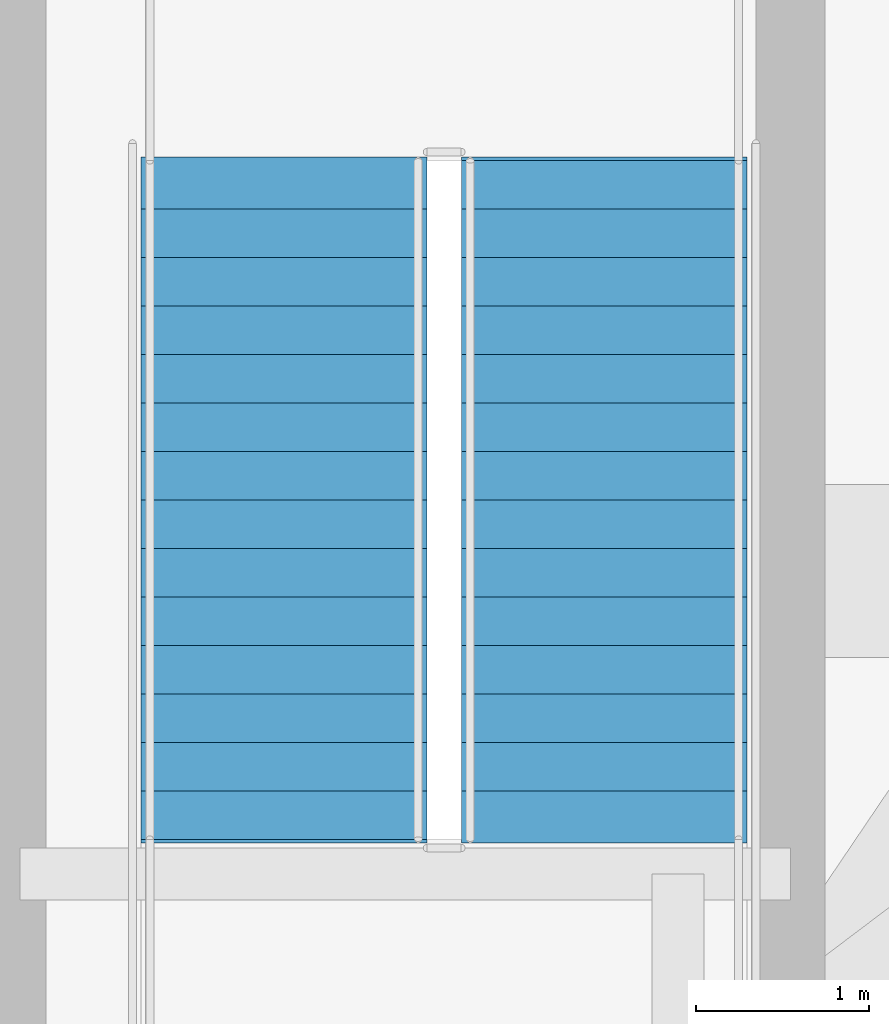
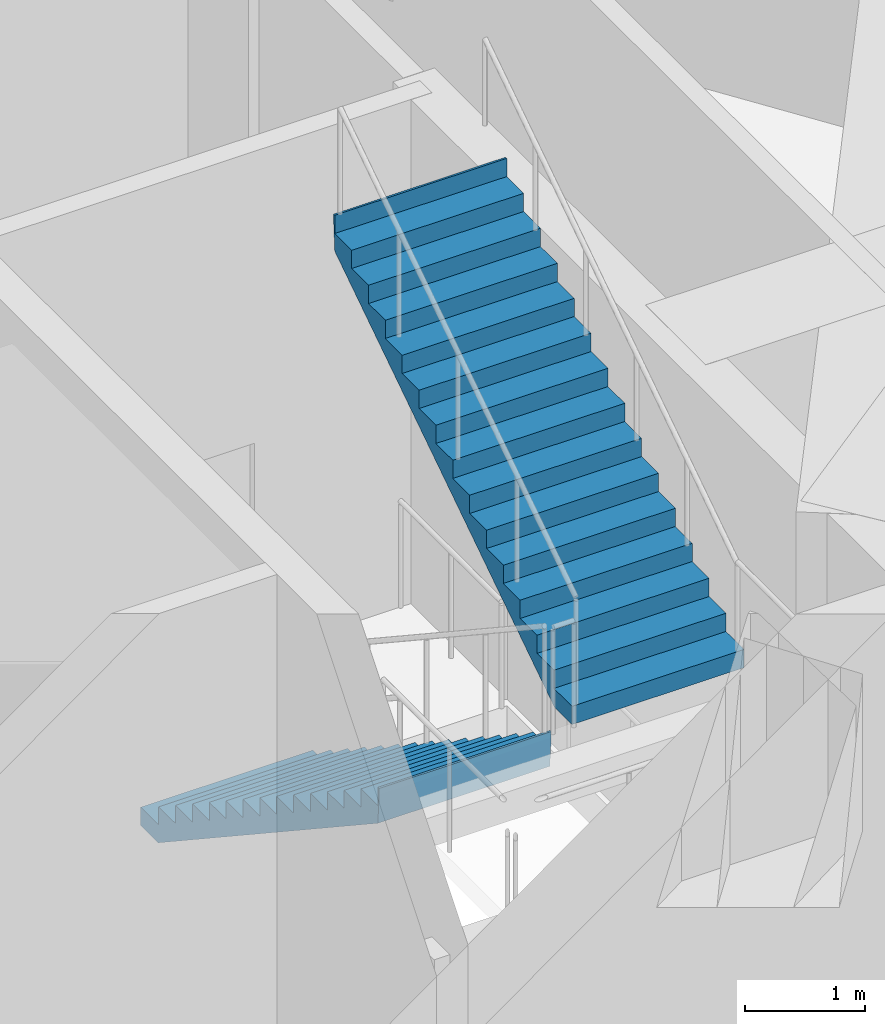
# One storey, part 35 of 38: 2 stair flights, 1 element without a shape of its own.
"""IFC4 building model written with IfcOpenShell, lengths in metres."""

from ifc_helpers import new_model, si_unit, direction, frame, origin, place, context, subcontext, project, spatial, polygons, material, type_object, element, aggregate, save


model = new_model("IFC4")

# Units and contexts
model_context = context("Model", 3, precision=1e-05, world=origin(), true_north=direction((0.0, 1.0)))
body_context = subcontext(model_context, "Body", "Model", "MODEL_VIEW")
ifc_project = project(units=[si_unit("LENGTHUNIT", "METRE"), si_unit("AREAUNIT", "SQUARE_METRE"), si_unit("VOLUMEUNIT", "CUBIC_METRE"), si_unit("PLANEANGLEUNIT", "RADIAN"), si_unit("MASSUNIT", "GRAM", prefix="KILO")], contexts=[model_context])

# Site, building, storey
site_placement = place(None, origin())
site = spatial("IfcSite", under=ifc_project, at=site_placement, CompositionType="ELEMENT")
building_placement = place(site_placement, origin())
building = spatial("IfcBuilding", under=site, at=building_placement, Name="Serunith Strait Residences", CompositionType="ELEMENT")
storey_placement = place(building_placement, frame((0.0, 0.0, 204.89990234375)))
storey = spatial("IfcBuildingStorey", under=building, at=storey_placement, Name="L51", CompositionType="ELEMENT", Elevation=204.89990234375)

# Stair, stair flights
ifc_material = material(Name="Concrete C50/60", Category="concrete")
stair_type = type_object("IfcStairType", Name="STR-CORE-2", PredefinedType="HALF_TURN_STAIR", material=ifc_material)
stair_placement = place(storey_placement, origin())
stair = element("IfcStair", 1, at=stair_placement, inside=storey, type_object=stair_type, Name="L51 Protected Escape Stair ST-2", PredefinedType="HALF_TURN_STAIR")
stair_flight_type = type_object("IfcStairFlightType", Name="FLT-CORE-2", PredefinedType="STRAIGHT", material=ifc_material)
stair_flight_1_placement = place(storey_placement, frame((38.47509765625, 23.3701171875, 0.0), z_axis=(0.0, 0.0, 1.0), x_axis=(0.0, -1.0, 0.0)))
stair_flight_1 = element("IfcStairFlight", 2, at=stair_flight_1_placement, type_object=stair_flight_type, Name="ST-2 flight 1", NumberOfRisers=15, NumberOfTreads=14, PredefinedType="STRAIGHT", RiserHeight=0.185, TreadLength=0.28, context=body_context, shape_type="Tessellation", body=[
    polygons([(-0.02001953125, -0.824951171875, 0.0), (-0.02001953125, -0.824951171875, 0.18505859375), (0.280029296875, -0.824951171875, 0.18505859375), (0.280029296875, -0.824951171875, 0.3701171875), (0.56005859375, -0.824951171875, 0.3701171875), (0.56005859375, -0.824951171875, 0.554931640625), (0.840087890625, -0.824951171875, 0.554931640625), (0.840087890625, -0.824951171875, 0.739990234375), (1.1201171875, -0.824951171875, 0.739990234375), (1.1201171875, -0.824951171875, 0.925048828125), (1.39990234375, -0.824951171875, 0.925048828125), (1.39990234375, -0.824951171875, 1.110107421875), (1.679931640625, -0.824951171875, 1.110107421875), (1.679931640625, -0.824951171875, 1.294921875), (1.9599609375, -0.824951171875, 1.294921875), (1.9599609375, -0.824951171875, 1.47998046875), (2.239990234375, -0.824951171875, 1.47998046875), (2.239990234375, -0.824951171875, 1.6650390625), (2.52001953125, -0.824951171875, 1.6650390625), (2.52001953125, -0.824951171875, 1.85009765625), (2.800048828125, -0.824951171875, 1.85009765625), (2.800048828125, -0.824951171875, 2.034912109375), (3.080078125, -0.824951171875, 2.034912109375), (3.080078125, -0.824951171875, 2.219970703125), (3.360107421875, -0.824951171875, 2.219970703125), (3.360107421875, -0.824951171875, 2.405029296875), (3.639892578125, -0.824951171875, 2.405029296875), (3.639892578125, -0.824951171875, 2.590087890625), (3.919921875, -0.824951171875, 2.590087890625), (3.919921875, -0.824951171875, 2.77490234375), (3.93994140625, -0.824951171875, 2.77490234375), (3.93994140625, -0.824951171875, 2.715087890625), (3.919921875, -0.824951171875, 2.410400390625), (0.27197265625, -0.824951171875, 0.0), (-0.02001953125, -0.41259765625, 0.0), (-0.02001953125, -0.41259765625, 0.18505859375), (0.280029296875, -0.41259765625, 0.18505859375), (0.280029296875, -0.41259765625, 0.3701171875), (0.56005859375, -0.41259765625, 0.3701171875), (0.56005859375, -0.41259765625, 0.554931640625), (0.840087890625, -0.41259765625, 0.554931640625), (0.840087890625, -0.41259765625, 0.739990234375), (1.1201171875, -0.41259765625, 0.739990234375), (1.1201171875, -0.41259765625, 0.925048828125), (1.39990234375, -0.41259765625, 0.925048828125), (1.39990234375, -0.41259765625, 1.110107421875), (1.679931640625, -0.41259765625, 1.110107421875), (1.679931640625, -0.41259765625, 1.294921875), (1.9599609375, -0.41259765625, 1.294921875), (1.9599609375, -0.41259765625, 1.47998046875), (2.239990234375, -0.41259765625, 1.47998046875), (2.239990234375, -0.41259765625, 1.6650390625), (2.52001953125, -0.41259765625, 1.6650390625), (2.52001953125, -0.41259765625, 1.85009765625), (2.800048828125, -0.41259765625, 1.85009765625), (2.800048828125, -0.41259765625, 2.034912109375), (3.080078125, -0.41259765625, 2.034912109375), (3.080078125, -0.41259765625, 2.219970703125), (3.360107421875, -0.41259765625, 2.219970703125), (3.360107421875, -0.41259765625, 2.405029296875), (3.639892578125, -0.41259765625, 2.405029296875), (3.639892578125, -0.41259765625, 2.590087890625), (3.919921875, -0.41259765625, 2.590087890625), (3.919921875, -0.41259765625, 2.77490234375), (3.93994140625, -0.41259765625, 2.77490234375), (3.93994140625, -0.41259765625, 2.715087890625), (3.919921875, -0.41259765625, 2.410400390625), (0.27197265625, -0.41259765625, 0.0), (-0.02001953125, 0.0, 0.0), (-0.02001953125, 0.0, 0.18505859375), (0.280029296875, 0.0, 0.18505859375), (0.280029296875, 0.0, 0.3701171875), (0.56005859375, 0.0, 0.3701171875), (0.56005859375, 0.0, 0.554931640625), (0.840087890625, 0.0, 0.554931640625), (0.840087890625, 0.0, 0.739990234375), (1.1201171875, 0.0, 0.739990234375), (1.1201171875, 0.0, 0.925048828125), (1.39990234375, 0.0, 0.925048828125), (1.39990234375, 0.0, 1.110107421875), (1.679931640625, 0.0, 1.110107421875), (1.679931640625, 0.0, 1.294921875), (1.9599609375, 0.0, 1.294921875), (1.9599609375, 0.0, 1.47998046875), (2.239990234375, 0.0, 1.47998046875), (2.239990234375, 0.0, 1.6650390625), (2.52001953125, 0.0, 1.6650390625), (2.52001953125, 0.0, 1.85009765625), (2.800048828125, 0.0, 1.85009765625), (2.800048828125, 0.0, 2.034912109375), (3.080078125, 0.0, 2.034912109375), (3.080078125, 0.0, 2.219970703125), (3.360107421875, 0.0, 2.219970703125), (3.360107421875, 0.0, 2.405029296875), (3.639892578125, 0.0, 2.405029296875), (3.639892578125, 0.0, 2.590087890625), (3.919921875, 0.0, 2.590087890625), (3.919921875, 0.0, 2.77490234375), (3.93994140625, 0.0, 2.77490234375), (3.93994140625, 0.0, 2.715087890625), (3.919921875, 0.0, 2.410400390625), (0.27197265625, 0.0, 0.0), (-0.02001953125, 0.41259765625, 0.0), (-0.02001953125, 0.41259765625, 0.18505859375), (0.280029296875, 0.41259765625, 0.18505859375), (0.280029296875, 0.41259765625, 0.3701171875), (0.56005859375, 0.41259765625, 0.3701171875), (0.56005859375, 0.41259765625, 0.554931640625), (0.840087890625, 0.41259765625, 0.554931640625), (0.840087890625, 0.41259765625, 0.739990234375), (1.1201171875, 0.41259765625, 0.739990234375), (1.1201171875, 0.41259765625, 0.925048828125), (1.39990234375, 0.41259765625, 0.925048828125), (1.39990234375, 0.41259765625, 1.110107421875), (1.679931640625, 0.41259765625, 1.110107421875), (1.679931640625, 0.41259765625, 1.294921875), (1.9599609375, 0.41259765625, 1.294921875), (1.9599609375, 0.41259765625, 1.47998046875), (2.239990234375, 0.41259765625, 1.47998046875), (2.239990234375, 0.41259765625, 1.6650390625), (2.52001953125, 0.41259765625, 1.6650390625), (2.52001953125, 0.41259765625, 1.85009765625), (2.800048828125, 0.41259765625, 1.85009765625), (2.800048828125, 0.41259765625, 2.034912109375), (3.080078125, 0.41259765625, 2.034912109375), (3.080078125, 0.41259765625, 2.219970703125), (3.360107421875, 0.41259765625, 2.219970703125), (3.360107421875, 0.41259765625, 2.405029296875), (3.639892578125, 0.41259765625, 2.405029296875), (3.639892578125, 0.41259765625, 2.590087890625), (3.919921875, 0.41259765625, 2.590087890625), (3.919921875, 0.41259765625, 2.77490234375), (3.93994140625, 0.41259765625, 2.77490234375), (3.93994140625, 0.41259765625, 2.715087890625), (3.919921875, 0.41259765625, 2.410400390625), (0.27197265625, 0.41259765625, 0.0), (-0.02001953125, 0.824951171875, 0.0), (-0.02001953125, 0.824951171875, 0.18505859375), (0.280029296875, 0.824951171875, 0.18505859375), (0.280029296875, 0.824951171875, 0.3701171875), (0.56005859375, 0.824951171875, 0.3701171875), (0.56005859375, 0.824951171875, 0.554931640625), (0.840087890625, 0.824951171875, 0.554931640625), (0.840087890625, 0.824951171875, 0.739990234375), (1.1201171875, 0.824951171875, 0.739990234375), (1.1201171875, 0.824951171875, 0.925048828125), (1.39990234375, 0.824951171875, 0.925048828125), (1.39990234375, 0.824951171875, 1.110107421875), (1.679931640625, 0.824951171875, 1.110107421875), (1.679931640625, 0.824951171875, 1.294921875), (1.9599609375, 0.824951171875, 1.294921875), (1.9599609375, 0.824951171875, 1.47998046875), (2.239990234375, 0.824951171875, 1.47998046875), (2.239990234375, 0.824951171875, 1.6650390625), (2.52001953125, 0.824951171875, 1.6650390625), (2.52001953125, 0.824951171875, 1.85009765625), (2.800048828125, 0.824951171875, 1.85009765625), (2.800048828125, 0.824951171875, 2.034912109375), (3.080078125, 0.824951171875, 2.034912109375), (3.080078125, 0.824951171875, 2.219970703125), (3.360107421875, 0.824951171875, 2.219970703125), (3.360107421875, 0.824951171875, 2.405029296875), (3.639892578125, 0.824951171875, 2.405029296875), (3.639892578125, 0.824951171875, 2.590087890625), (3.919921875, 0.824951171875, 2.590087890625), (3.919921875, 0.824951171875, 2.77490234375), (3.93994140625, 0.824951171875, 2.77490234375), (3.93994140625, 0.824951171875, 2.715087890625), (3.919921875, 0.824951171875, 2.410400390625), (0.27197265625, 0.824951171875, 0.0)], [[[1, 2, 36, 35]], [[2, 3, 37, 36]], [[3, 4, 38, 37]], [[4, 5, 39, 38]], [[5, 6, 40, 39]], [[6, 7, 41, 40]], [[7, 8, 42, 41]], [[8, 9, 43, 42]], [[9, 10, 44, 43]], [[10, 11, 45, 44]], [[11, 12, 46, 45]], [[12, 13, 47, 46]], [[13, 14, 48, 47]], [[14, 15, 49, 48]], [[15, 16, 50, 49]], [[16, 17, 51, 50]], [[17, 18, 52, 51]], [[18, 19, 53, 52]], [[19, 20, 54, 53]], [[20, 21, 55, 54]], [[21, 22, 56, 55]], [[22, 23, 57, 56]], [[23, 24, 58, 57]], [[24, 25, 59, 58]], [[25, 26, 60, 59]], [[26, 27, 61, 60]], [[27, 28, 62, 61]], [[28, 29, 63, 62]], [[29, 30, 64, 63]], [[30, 31, 65, 64]], [[31, 32, 66, 65]], [[32, 33, 67, 66]], [[33, 34, 68, 67]], [[34, 1, 35, 68]], [[35, 36, 70, 69]], [[36, 37, 71, 70]], [[37, 38, 72, 71]], [[38, 39, 73, 72]], [[39, 40, 74, 73]], [[40, 41, 75, 74]], [[41, 42, 76, 75]], [[42, 43, 77, 76]], [[43, 44, 78, 77]], [[44, 45, 79, 78]], [[45, 46, 80, 79]], [[46, 47, 81, 80]], [[47, 48, 82, 81]], [[48, 49, 83, 82]], [[49, 50, 84, 83]], [[50, 51, 85, 84]], [[51, 52, 86, 85]], [[52, 53, 87, 86]], [[53, 54, 88, 87]], [[54, 55, 89, 88]], [[55, 56, 90, 89]], [[56, 57, 91, 90]], [[57, 58, 92, 91]], [[58, 59, 93, 92]], [[59, 60, 94, 93]], [[60, 61, 95, 94]], [[61, 62, 96, 95]], [[62, 63, 97, 96]], [[63, 64, 98, 97]], [[64, 65, 99, 98]], [[65, 66, 100, 99]], [[66, 67, 101, 100]], [[67, 68, 102, 101]], [[68, 35, 69, 102]], [[69, 70, 104, 103]], [[70, 71, 105, 104]], [[71, 72, 106, 105]], [[72, 73, 107, 106]], [[73, 74, 108, 107]], [[74, 75, 109, 108]], [[75, 76, 110, 109]], [[76, 77, 111, 110]], [[77, 78, 112, 111]], [[78, 79, 113, 112]], [[79, 80, 114, 113]], [[80, 81, 115, 114]], [[81, 82, 116, 115]], [[82, 83, 117, 116]], [[83, 84, 118, 117]], [[84, 85, 119, 118]], [[85, 86, 120, 119]], [[86, 87, 121, 120]], [[87, 88, 122, 121]], [[88, 89, 123, 122]], [[89, 90, 124, 123]], [[90, 91, 125, 124]], [[91, 92, 126, 125]], [[92, 93, 127, 126]], [[93, 94, 128, 127]], [[94, 95, 129, 128]], [[95, 96, 130, 129]], [[96, 97, 131, 130]], [[97, 98, 132, 131]], [[98, 99, 133, 132]], [[99, 100, 134, 133]], [[100, 101, 135, 134]], [[101, 102, 136, 135]], [[102, 69, 103, 136]], [[103, 104, 138, 137]], [[104, 105, 139, 138]], [[105, 106, 140, 139]], [[106, 107, 141, 140]], [[107, 108, 142, 141]], [[108, 109, 143, 142]], [[109, 110, 144, 143]], [[110, 111, 145, 144]], [[111, 112, 146, 145]], [[112, 113, 147, 146]], [[113, 114, 148, 147]], [[114, 115, 149, 148]], [[115, 116, 150, 149]], [[116, 117, 151, 150]], [[117, 118, 152, 151]], [[118, 119, 153, 152]], [[119, 120, 154, 153]], [[120, 121, 155, 154]], [[121, 122, 156, 155]], [[122, 123, 157, 156]], [[123, 124, 158, 157]], [[124, 125, 159, 158]], [[125, 126, 160, 159]], [[126, 127, 161, 160]], [[127, 128, 162, 161]], [[128, 129, 163, 162]], [[129, 130, 164, 163]], [[130, 131, 165, 164]], [[131, 132, 166, 165]], [[132, 133, 167, 166]], [[133, 134, 168, 167]], [[134, 135, 169, 168]], [[135, 136, 170, 169]], [[136, 103, 137, 170]], [[34, 33, 32, 31, 30, 29, 28, 27, 26, 25, 24, 23, 22, 21, 20, 19, 18, 17, 16, 15, 14, 13, 12, 11, 10, 9, 8, 7, 6, 5, 4, 3, 2, 1]], [[137, 138, 139, 140, 141, 142, 143, 144, 145, 146, 147, 148, 149, 150, 151, 152, 153, 154, 155, 156, 157, 158, 159, 160, 161, 162, 163, 164, 165, 166, 167, 168, 169, 170]]], closed=True),
])
stair_flight_2_placement = place(storey_placement, frame((40.324951171875, 19.449951171875, 2.775146484375), z_axis=(0.0, 0.0, 1.0), x_axis=(0.0, 1.0, 0.0)))
stair_flight_2 = element("IfcStairFlight", 3, at=stair_flight_2_placement, type_object=stair_flight_type, Name="ST-2 flight 2", NumberOfRisers=15, NumberOfTreads=14, PredefinedType="STRAIGHT", RiserHeight=0.185, TreadLength=0.28, context=body_context, shape_type="Tessellation", body=[
    polygons([(-0.02001953125, -0.824951171875, 0.0), (-0.02001953125, -0.824951171875, 0.18505859375), (0.280029296875, -0.824951171875, 0.18505859375), (0.280029296875, -0.824951171875, 0.3701171875), (0.56005859375, -0.824951171875, 0.3701171875), (0.56005859375, -0.824951171875, 0.554931640625), (0.840087890625, -0.824951171875, 0.554931640625), (0.840087890625, -0.824951171875, 0.739990234375), (1.1201171875, -0.824951171875, 0.739990234375), (1.1201171875, -0.824951171875, 0.925048828125), (1.39990234375, -0.824951171875, 0.925048828125), (1.39990234375, -0.824951171875, 1.110107421875), (1.679931640625, -0.824951171875, 1.110107421875), (1.679931640625, -0.824951171875, 1.294921875), (1.9599609375, -0.824951171875, 1.294921875), (1.9599609375, -0.824951171875, 1.47998046875), (2.239990234375, -0.824951171875, 1.47998046875), (2.239990234375, -0.824951171875, 1.6650390625), (2.52001953125, -0.824951171875, 1.6650390625), (2.52001953125, -0.824951171875, 1.85009765625), (2.800048828125, -0.824951171875, 1.85009765625), (2.800048828125, -0.824951171875, 2.034912109375), (3.080078125, -0.824951171875, 2.034912109375), (3.080078125, -0.824951171875, 2.219970703125), (3.360107421875, -0.824951171875, 2.219970703125), (3.360107421875, -0.824951171875, 2.405029296875), (3.639892578125, -0.824951171875, 2.405029296875), (3.639892578125, -0.824951171875, 2.590087890625), (3.919921875, -0.824951171875, 2.590087890625), (3.919921875, -0.824951171875, 2.77490234375), (3.93994140625, -0.824951171875, 2.77490234375), (3.93994140625, -0.824951171875, 2.715087890625), (3.919921875, -0.824951171875, 2.410400390625), (0.27197265625, -0.824951171875, 0.0), (-0.02001953125, -0.41259765625, 0.0), (-0.02001953125, -0.41259765625, 0.18505859375), (0.280029296875, -0.41259765625, 0.18505859375), (0.280029296875, -0.41259765625, 0.3701171875), (0.56005859375, -0.41259765625, 0.3701171875), (0.56005859375, -0.41259765625, 0.554931640625), (0.840087890625, -0.41259765625, 0.554931640625), (0.840087890625, -0.41259765625, 0.739990234375), (1.1201171875, -0.41259765625, 0.739990234375), (1.1201171875, -0.41259765625, 0.925048828125), (1.39990234375, -0.41259765625, 0.925048828125), (1.39990234375, -0.41259765625, 1.110107421875), (1.679931640625, -0.41259765625, 1.110107421875), (1.679931640625, -0.41259765625, 1.294921875), (1.9599609375, -0.41259765625, 1.294921875), (1.9599609375, -0.41259765625, 1.47998046875), (2.239990234375, -0.41259765625, 1.47998046875), (2.239990234375, -0.41259765625, 1.6650390625), (2.52001953125, -0.41259765625, 1.6650390625), (2.52001953125, -0.41259765625, 1.85009765625), (2.800048828125, -0.41259765625, 1.85009765625), (2.800048828125, -0.41259765625, 2.034912109375), (3.080078125, -0.41259765625, 2.034912109375), (3.080078125, -0.41259765625, 2.219970703125), (3.360107421875, -0.41259765625, 2.219970703125), (3.360107421875, -0.41259765625, 2.405029296875), (3.639892578125, -0.41259765625, 2.405029296875), (3.639892578125, -0.41259765625, 2.590087890625), (3.919921875, -0.41259765625, 2.590087890625), (3.919921875, -0.41259765625, 2.77490234375), (3.93994140625, -0.41259765625, 2.77490234375), (3.93994140625, -0.41259765625, 2.715087890625), (3.919921875, -0.41259765625, 2.410400390625), (0.27197265625, -0.41259765625, 0.0), (-0.02001953125, 0.0, 0.0), (-0.02001953125, 0.0, 0.18505859375), (0.280029296875, 0.0, 0.18505859375), (0.280029296875, 0.0, 0.3701171875), (0.56005859375, 0.0, 0.3701171875), (0.56005859375, 0.0, 0.554931640625), (0.840087890625, 0.0, 0.554931640625), (0.840087890625, 0.0, 0.739990234375), (1.1201171875, 0.0, 0.739990234375), (1.1201171875, 0.0, 0.925048828125), (1.39990234375, 0.0, 0.925048828125), (1.39990234375, 0.0, 1.110107421875), (1.679931640625, 0.0, 1.110107421875), (1.679931640625, 0.0, 1.294921875), (1.9599609375, 0.0, 1.294921875), (1.9599609375, 0.0, 1.47998046875), (2.239990234375, 0.0, 1.47998046875), (2.239990234375, 0.0, 1.6650390625), (2.52001953125, 0.0, 1.6650390625), (2.52001953125, 0.0, 1.85009765625), (2.800048828125, 0.0, 1.85009765625), (2.800048828125, 0.0, 2.034912109375), (3.080078125, 0.0, 2.034912109375), (3.080078125, 0.0, 2.219970703125), (3.360107421875, 0.0, 2.219970703125), (3.360107421875, 0.0, 2.405029296875), (3.639892578125, 0.0, 2.405029296875), (3.639892578125, 0.0, 2.590087890625), (3.919921875, 0.0, 2.590087890625), (3.919921875, 0.0, 2.77490234375), (3.93994140625, 0.0, 2.77490234375), (3.93994140625, 0.0, 2.715087890625), (3.919921875, 0.0, 2.410400390625), (0.27197265625, 0.0, 0.0), (-0.02001953125, 0.41259765625, 0.0), (-0.02001953125, 0.41259765625, 0.18505859375), (0.280029296875, 0.41259765625, 0.18505859375), (0.280029296875, 0.41259765625, 0.3701171875), (0.56005859375, 0.41259765625, 0.3701171875), (0.56005859375, 0.41259765625, 0.554931640625), (0.840087890625, 0.41259765625, 0.554931640625), (0.840087890625, 0.41259765625, 0.739990234375), (1.1201171875, 0.41259765625, 0.739990234375), (1.1201171875, 0.41259765625, 0.925048828125), (1.39990234375, 0.41259765625, 0.925048828125), (1.39990234375, 0.41259765625, 1.110107421875), (1.679931640625, 0.41259765625, 1.110107421875), (1.679931640625, 0.41259765625, 1.294921875), (1.9599609375, 0.41259765625, 1.294921875), (1.9599609375, 0.41259765625, 1.47998046875), (2.239990234375, 0.41259765625, 1.47998046875), (2.239990234375, 0.41259765625, 1.6650390625), (2.52001953125, 0.41259765625, 1.6650390625), (2.52001953125, 0.41259765625, 1.85009765625), (2.800048828125, 0.41259765625, 1.85009765625), (2.800048828125, 0.41259765625, 2.034912109375), (3.080078125, 0.41259765625, 2.034912109375), (3.080078125, 0.41259765625, 2.219970703125), (3.360107421875, 0.41259765625, 2.219970703125), (3.360107421875, 0.41259765625, 2.405029296875), (3.639892578125, 0.41259765625, 2.405029296875), (3.639892578125, 0.41259765625, 2.590087890625), (3.919921875, 0.41259765625, 2.590087890625), (3.919921875, 0.41259765625, 2.77490234375), (3.93994140625, 0.41259765625, 2.77490234375), (3.93994140625, 0.41259765625, 2.715087890625), (3.919921875, 0.41259765625, 2.410400390625), (0.27197265625, 0.41259765625, 0.0), (-0.02001953125, 0.824951171875, 0.0), (-0.02001953125, 0.824951171875, 0.18505859375), (0.280029296875, 0.824951171875, 0.18505859375), (0.280029296875, 0.824951171875, 0.3701171875), (0.56005859375, 0.824951171875, 0.3701171875), (0.56005859375, 0.824951171875, 0.554931640625), (0.840087890625, 0.824951171875, 0.554931640625), (0.840087890625, 0.824951171875, 0.739990234375), (1.1201171875, 0.824951171875, 0.739990234375), (1.1201171875, 0.824951171875, 0.925048828125), (1.39990234375, 0.824951171875, 0.925048828125), (1.39990234375, 0.824951171875, 1.110107421875), (1.679931640625, 0.824951171875, 1.110107421875), (1.679931640625, 0.824951171875, 1.294921875), (1.9599609375, 0.824951171875, 1.294921875), (1.9599609375, 0.824951171875, 1.47998046875), (2.239990234375, 0.824951171875, 1.47998046875), (2.239990234375, 0.824951171875, 1.6650390625), (2.52001953125, 0.824951171875, 1.6650390625), (2.52001953125, 0.824951171875, 1.85009765625), (2.800048828125, 0.824951171875, 1.85009765625), (2.800048828125, 0.824951171875, 2.034912109375), (3.080078125, 0.824951171875, 2.034912109375), (3.080078125, 0.824951171875, 2.219970703125), (3.360107421875, 0.824951171875, 2.219970703125), (3.360107421875, 0.824951171875, 2.405029296875), (3.639892578125, 0.824951171875, 2.405029296875), (3.639892578125, 0.824951171875, 2.590087890625), (3.919921875, 0.824951171875, 2.590087890625), (3.919921875, 0.824951171875, 2.77490234375), (3.93994140625, 0.824951171875, 2.77490234375), (3.93994140625, 0.824951171875, 2.715087890625), (3.919921875, 0.824951171875, 2.410400390625), (0.27197265625, 0.824951171875, 0.0)], [[[1, 2, 36, 35]], [[2, 3, 37, 36]], [[3, 4, 38, 37]], [[4, 5, 39, 38]], [[5, 6, 40, 39]], [[6, 7, 41, 40]], [[7, 8, 42, 41]], [[8, 9, 43, 42]], [[9, 10, 44, 43]], [[10, 11, 45, 44]], [[11, 12, 46, 45]], [[12, 13, 47, 46]], [[13, 14, 48, 47]], [[14, 15, 49, 48]], [[15, 16, 50, 49]], [[16, 17, 51, 50]], [[17, 18, 52, 51]], [[18, 19, 53, 52]], [[19, 20, 54, 53]], [[20, 21, 55, 54]], [[21, 22, 56, 55]], [[22, 23, 57, 56]], [[23, 24, 58, 57]], [[24, 25, 59, 58]], [[25, 26, 60, 59]], [[26, 27, 61, 60]], [[27, 28, 62, 61]], [[28, 29, 63, 62]], [[29, 30, 64, 63]], [[30, 31, 65, 64]], [[31, 32, 66, 65]], [[32, 33, 67, 66]], [[33, 34, 68, 67]], [[34, 1, 35, 68]], [[35, 36, 70, 69]], [[36, 37, 71, 70]], [[37, 38, 72, 71]], [[38, 39, 73, 72]], [[39, 40, 74, 73]], [[40, 41, 75, 74]], [[41, 42, 76, 75]], [[42, 43, 77, 76]], [[43, 44, 78, 77]], [[44, 45, 79, 78]], [[45, 46, 80, 79]], [[46, 47, 81, 80]], [[47, 48, 82, 81]], [[48, 49, 83, 82]], [[49, 50, 84, 83]], [[50, 51, 85, 84]], [[51, 52, 86, 85]], [[52, 53, 87, 86]], [[53, 54, 88, 87]], [[54, 55, 89, 88]], [[55, 56, 90, 89]], [[56, 57, 91, 90]], [[57, 58, 92, 91]], [[58, 59, 93, 92]], [[59, 60, 94, 93]], [[60, 61, 95, 94]], [[61, 62, 96, 95]], [[62, 63, 97, 96]], [[63, 64, 98, 97]], [[64, 65, 99, 98]], [[65, 66, 100, 99]], [[66, 67, 101, 100]], [[67, 68, 102, 101]], [[68, 35, 69, 102]], [[69, 70, 104, 103]], [[70, 71, 105, 104]], [[71, 72, 106, 105]], [[72, 73, 107, 106]], [[73, 74, 108, 107]], [[74, 75, 109, 108]], [[75, 76, 110, 109]], [[76, 77, 111, 110]], [[77, 78, 112, 111]], [[78, 79, 113, 112]], [[79, 80, 114, 113]], [[80, 81, 115, 114]], [[81, 82, 116, 115]], [[82, 83, 117, 116]], [[83, 84, 118, 117]], [[84, 85, 119, 118]], [[85, 86, 120, 119]], [[86, 87, 121, 120]], [[87, 88, 122, 121]], [[88, 89, 123, 122]], [[89, 90, 124, 123]], [[90, 91, 125, 124]], [[91, 92, 126, 125]], [[92, 93, 127, 126]], [[93, 94, 128, 127]], [[94, 95, 129, 128]], [[95, 96, 130, 129]], [[96, 97, 131, 130]], [[97, 98, 132, 131]], [[98, 99, 133, 132]], [[99, 100, 134, 133]], [[100, 101, 135, 134]], [[101, 102, 136, 135]], [[102, 69, 103, 136]], [[103, 104, 138, 137]], [[104, 105, 139, 138]], [[105, 106, 140, 139]], [[106, 107, 141, 140]], [[107, 108, 142, 141]], [[108, 109, 143, 142]], [[109, 110, 144, 143]], [[110, 111, 145, 144]], [[111, 112, 146, 145]], [[112, 113, 147, 146]], [[113, 114, 148, 147]], [[114, 115, 149, 148]], [[115, 116, 150, 149]], [[116, 117, 151, 150]], [[117, 118, 152, 151]], [[118, 119, 153, 152]], [[119, 120, 154, 153]], [[120, 121, 155, 154]], [[121, 122, 156, 155]], [[122, 123, 157, 156]], [[123, 124, 158, 157]], [[124, 125, 159, 158]], [[125, 126, 160, 159]], [[126, 127, 161, 160]], [[127, 128, 162, 161]], [[128, 129, 163, 162]], [[129, 130, 164, 163]], [[130, 131, 165, 164]], [[131, 132, 166, 165]], [[132, 133, 167, 166]], [[133, 134, 168, 167]], [[134, 135, 169, 168]], [[135, 136, 170, 169]], [[136, 103, 137, 170]], [[34, 33, 32, 31, 30, 29, 28, 27, 26, 25, 24, 23, 22, 21, 20, 19, 18, 17, 16, 15, 14, 13, 12, 11, 10, 9, 8, 7, 6, 5, 4, 3, 2, 1]], [[137, 138, 139, 140, 141, 142, 143, 144, 145, 146, 147, 148, 149, 150, 151, 152, 153, 154, 155, 156, 157, 158, 159, 160, 161, 162, 163, 164, 165, 166, 167, 168, 169, 170]]], closed=True),
])
aggregate(stair, [stair_flight_1, stair_flight_2])

save(model, "model.ifc")
